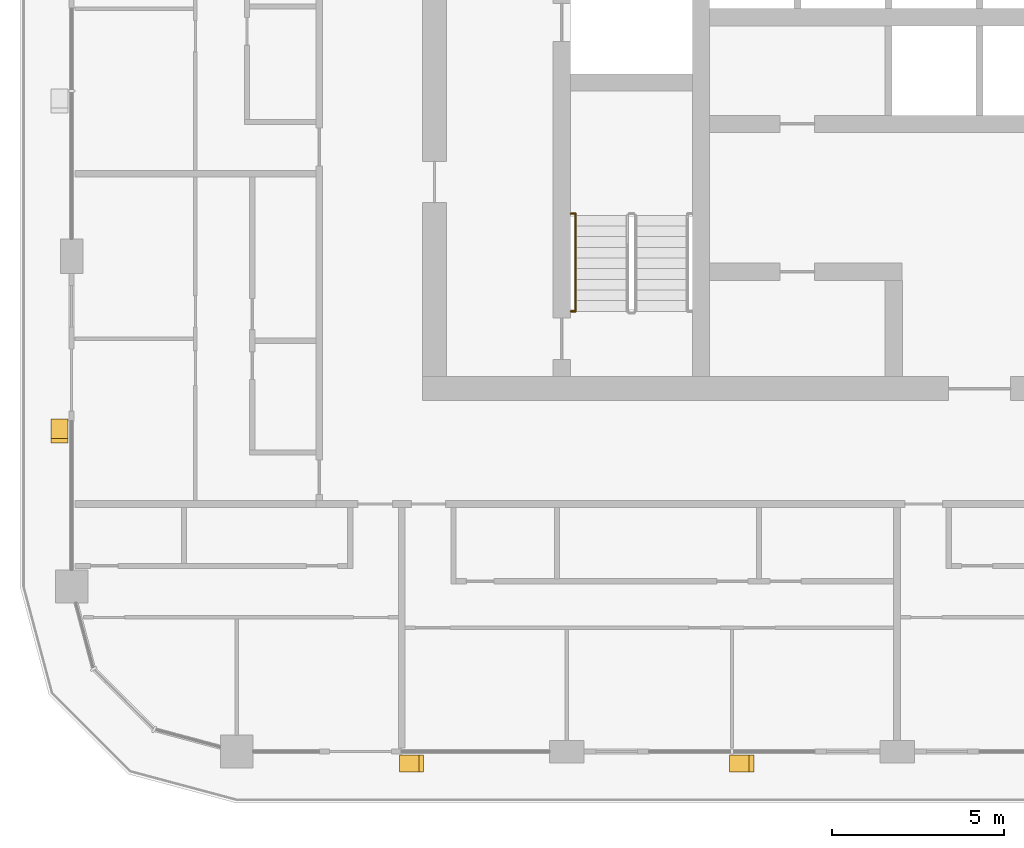
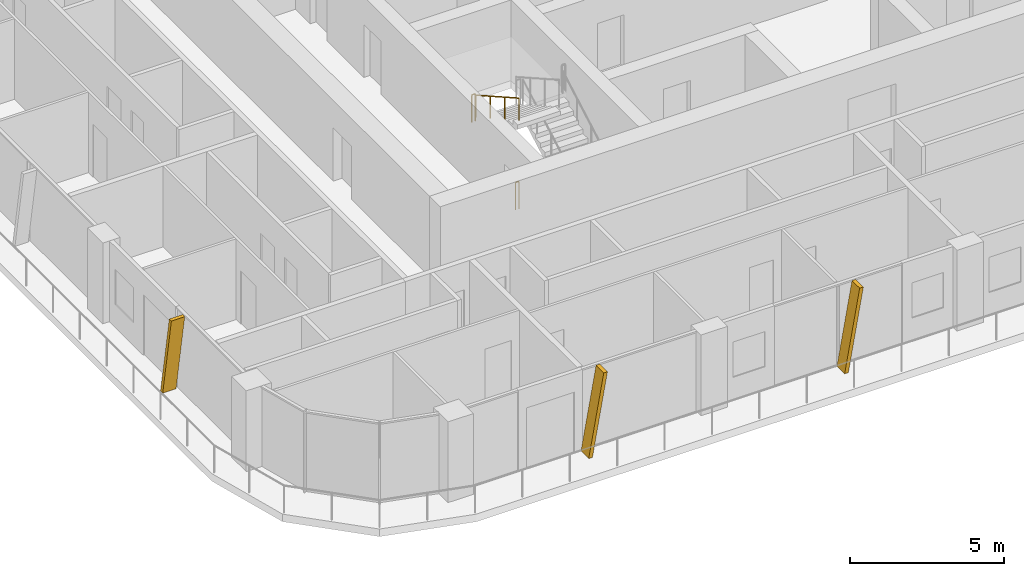
# One storey, part 17 of 23: 3 railings, 3 shading devices.
"""IFC4 building model written with IfcOpenShell, lengths in metres."""

from ifc_helpers import new_model, si_unit, direction, frame, origin, origin_2d, place, context, subcontext, project, spatial, polyline, circle, outline, extrude, material, type_object, element, save


model = new_model("IFC4")

# Units and contexts
model_context = context("Model", 3, precision=1e-05, world=origin(), true_north=direction((0.0, 1.0)))
body_context = subcontext(model_context, "Body", "Model", "MODEL_VIEW")
ifc_project = project(units=[si_unit("LENGTHUNIT", "METRE"), si_unit("AREAUNIT", "SQUARE_METRE"), si_unit("VOLUMEUNIT", "CUBIC_METRE"), si_unit("PLANEANGLEUNIT", "RADIAN"), si_unit("MASSUNIT", "GRAM", prefix="KILO")], contexts=[model_context])

# Site, building, storey
site_placement = place(None, origin())
site = spatial("IfcSite", under=ifc_project, at=site_placement, CompositionType="ELEMENT")
building_placement = place(site_placement, origin())
building = spatial("IfcBuilding", under=site, at=building_placement, Name="Madar Terraces", CompositionType="ELEMENT")
storey_placement = place(building_placement, frame((0.0, 0.0, 219.300048828125)))
storey = spatial("IfcBuildingStorey", under=building, at=storey_placement, Name="L57", CompositionType="ELEMENT", Elevation=219.300048828125)

# Shading devices
ifc_material_1 = material(Name="Aluminium, black anodised", Category="aluminium")
shading_device_type = type_object("IfcShadingDeviceType", Name="Facade fin blade 140 x 500", PredefinedType="USERDEFINED", material=ifc_material_1)
shading_device_1_placement = place(storey_placement, frame((14.330078125, 4.449951171875, 0.0), z_axis=(0.0, 0.0, 1.0), x_axis=(1.0, 0.0, 0.0)))
element("IfcShadingDevice", 1, at=shading_device_1_placement, inside=storey, type_object=shading_device_type, Name="FIN L57 S1", ObjectType="FIN", PredefinedType="USERDEFINED", context=body_context, shape_type="SweptSolid", body=[
    extrude(outline(polyline([(0.0, 0.0), (0.139892578125, 0.0), (0.704345703125, 3.199951171875), (0.564208984375, 3.199951171875), (0.0, 0.0)])), frame((0.0, 0.25, 0.0), z_axis=(0.0, -1.0, 0.0), x_axis=(1.0, 0.0, 0.0)), (0.0, 0.0, 1.0), 0.5),
])
shading_device_2_placement = place(storey_placement, frame((23.929931640625, 4.449951171875, 0.0), z_axis=(0.0, 0.0, 1.0), x_axis=(1.0, 0.0, 0.0)))
element("IfcShadingDevice", 2, at=shading_device_2_placement, inside=storey, type_object=shading_device_type, Name="FIN L57 S2", ObjectType="FIN", PredefinedType="USERDEFINED", context=body_context, shape_type="SweptSolid", body=[
    extrude(outline(polyline([(0.0, 0.0), (0.14013671875, 0.0), (0.704345703125, 3.199951171875), (0.564208984375, 3.199951171875), (0.0, 0.0)])), frame((0.0, 0.25, 0.0), z_axis=(0.0, -1.0, 0.0), x_axis=(1.0, 0.0, 0.0)), (0.0, 0.0, 1.0), 0.5),
])
shading_device_3_placement = place(storey_placement, frame((4.449951171875, 14.469970703125, 0.0), z_axis=(0.0, 0.0, 1.0), x_axis=(0.0, -1.0, 0.0)))
element("IfcShadingDevice", 3, at=shading_device_3_placement, inside=storey, type_object=shading_device_type, Name="FIN L57 W4", ObjectType="FIN", PredefinedType="USERDEFINED", context=body_context, shape_type="SweptSolid", body=[
    extrude(outline(polyline([(0.0, 0.0), (0.139892578125, 0.0), (0.704345703125, 3.199951171875), (0.564208984375, 3.199951171875), (0.0, 0.0)])), frame((0.0, 0.25, 0.0), z_axis=(0.0, -1.0, 0.0), x_axis=(1.0, 0.0, 0.0)), (0.0, 0.0, 1.0), 0.5),
])

# Railings
ifc_material_2 = material(Name="Stainless steel railing", Category="steel")
railing_type_1 = type_object("IfcRailingType", Name="Stair guard 1100", PredefinedType="GUARDRAIL", material=ifc_material_2)
for number, where, name in (
    (4, (19.320068359375, 20.43994140625, 1.75), "L57 stair guard seat 1"),
    (5, (19.320068359375, 17.60009765625, 0.0), "L57 stair guard floor 1"),
):
    element("IfcRailing", number, at=place(storey_placement, frame(where)), inside=storey, type_object=railing_type_1, Name=name, PredefinedType="GUARDRAIL", context=body_context, shape_type="SweptSolid", body=[
        extrude(circle(Radius=0.02392578125, at=origin_2d()), frame((0.0, 0.0, 1.076171875), z_axis=(1.0, 0.0, 0.0), x_axis=(0.0, 1.0, 0.0)), (0.0, 0.0, 1.0), 0.1298828125),
        extrude(circle(Radius=0.02099609375, at=origin_2d()), origin(), (0.0, 0.0, 1.0), 1.052001953125),
        extrude(circle(Radius=0.02099609375, at=origin_2d()), frame((0.1298828125, 0.0, 0.0)), (0.0, 0.0, 1.0), 1.052001953125),
    ])
ifc_material_3 = material(Name="Stainless steel railing", Category="steel")
railing_type_2 = type_object("IfcRailingType", Name="Stair handrail 900", PredefinedType="HANDRAIL", material=ifc_material_3)
railing_placement = place(storey_placement, frame((19.449951171875, 20.389892578125, 1.925048828125)))
element("IfcRailing", 6, at=railing_placement, inside=storey, type_object=railing_type_2, Name="L57 ST1 stair handrail 2", PredefinedType="HANDRAIL", context=body_context, shape_type="SweptSolid", body=[
    extrude(circle(Radius=0.02392578125, at=origin_2d()), frame((0.0, 0.0, 0.8759765625), z_axis=(0.0, -0.870815363784, 0.491610213684), x_axis=(1.0, 0.0, 0.0)), (0.0, 0.0, 1.0), 3.20361328125),
    extrude(circle(Radius=0.02099609375, at=origin_2d()), origin(), (0.0, 0.0, 1.0), 0.851806640625),
    extrude(circle(Radius=0.02099609375, at=origin_2d()), frame((0.0, -0.929931640625, 0.52490234375)), (0.0, 0.0, 1.0), 0.851806640625),
    extrude(circle(Radius=0.02099609375, at=origin_2d()), frame((0.0, -1.85986328125, 1.050048828125)), (0.0, 0.0, 1.0), 0.851806640625),
    extrude(circle(Radius=0.02099609375, at=origin_2d()), frame((0.0, -2.789794921875, 1.574951171875)), (0.0, 0.0, 1.0), 0.851806640625),
])

save(model, "model.ifc")
